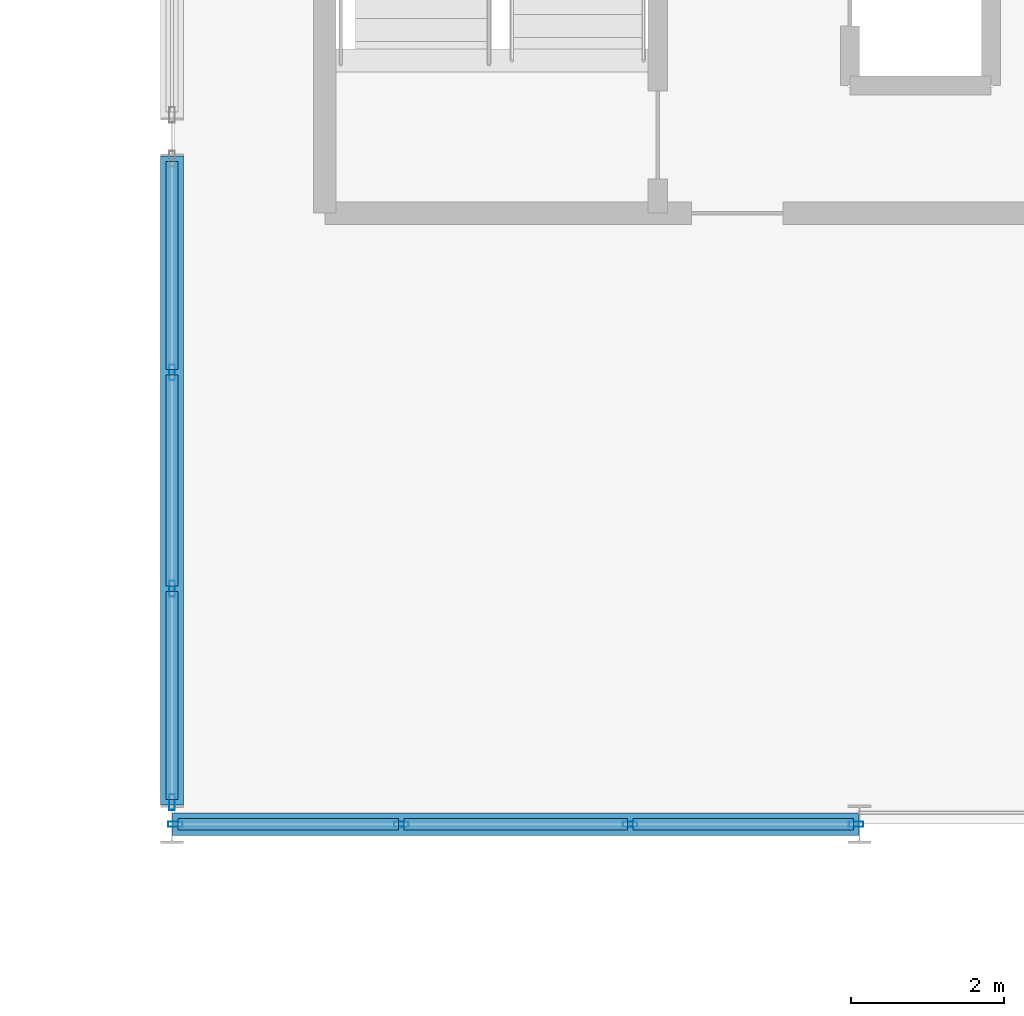
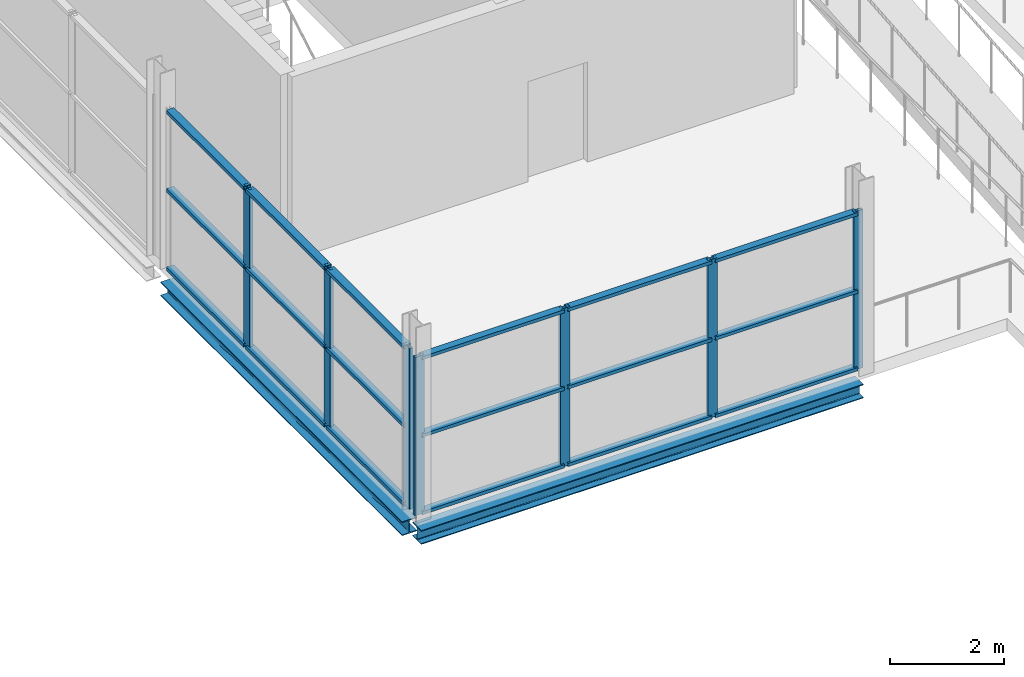
# One storey, part 18 of 103: 25 members, 2 beams, 2 elements without a shape of their own.
"""IFC4 building model written with IfcOpenShell, lengths in metres."""

from ifc_helpers import new_model, si_unit, direction, frame, origin, origin_2d, place, context, subcontext, project, spatial, hollow_rectangle, i_section, extrude, material, layer, layer_set, material_profile, profile_set, type_object, element, aggregate, save


model = new_model("IFC4")

# Units and contexts
model_context = context("Model", 3, precision=1e-05, world=origin(), true_north=direction((0.0, 1.0)))
body_context = subcontext(model_context, "Body", "Model", "MODEL_VIEW")
ifc_project = project(units=[si_unit("LENGTHUNIT", "METRE"), si_unit("AREAUNIT", "SQUARE_METRE"), si_unit("VOLUMEUNIT", "CUBIC_METRE"), si_unit("PLANEANGLEUNIT", "RADIAN"), si_unit("MASSUNIT", "GRAM", prefix="KILO")], contexts=[model_context])

# Site, building, storey
site_placement = place(None, origin())
site = spatial("IfcSite", under=ifc_project, at=site_placement, CompositionType="ELEMENT")
building_placement = place(site_placement, origin())
building = spatial("IfcBuilding", under=site, at=building_placement, Name="Deido Ridge Mobility Hub", CompositionType="ELEMENT")
storey_placement = place(building_placement, frame((0.0, 0.0, 12.60009765625)))
storey = spatial("IfcBuildingStorey", under=building, at=storey_placement, Name="L03", CompositionType="ELEMENT", Elevation=12.60009765625)

# Curtain wall, members
ifc_material_1 = material(Name="Anodised aluminium EN AW-6063 T6", Category="aluminium")
ifc_layer_1 = layer(ifc_material_1, 0.156005859375, Name="Anodised aluminium EN AW-6063 T6")
ifc_layer_set_1 = layer_set([ifc_layer_1], Name="Anodised aluminium EN AW-6063 T6")
curtain_wall_type_1 = type_object("IfcCurtainWallType", Name="CW-GS-3", PredefinedType="USERDEFINED", material=ifc_layer_set_1)
curtain_wall_1_placement = place(storey_placement, origin())
curtain_wall_1 = element("IfcCurtainWall", 1, at=curtain_wall_1_placement, inside=storey, type_object=curtain_wall_type_1, Name="Unitised curtain wall GS3", ObjectType="GLAZED SCREEN", PredefinedType="USERDEFINED")
ifc_material_profile_1 = material_profile(ifc_material_1, hollow_rectangle(XDim=0.070068359375, YDim=0.18994140625, WallThickness=0.00390625, at=origin_2d()), Name="RHS 70x190x4")
ifc_profile_set_1 = profile_set([ifc_material_profile_1], Name="Anodised aluminium EN AW-6063 T6")
member_type_1 = type_object("IfcMemberType", Name="MEM-MUL-70X190", PredefinedType="MULLION", material=ifc_profile_set_1)
member_1_placement = place(storey_placement, frame((72.042236328125, 54.0, 0.0), z_axis=(0.0, 0.0, 1.0), x_axis=(0.0, 1.0, 0.0)))
member_1 = element("IfcMember", 2, at=member_1_placement, type_object=member_type_1, Name="GS3 mullion 1", PredefinedType="MULLION", context=body_context, shape_type="SweptSolid", body=[
    extrude(hollow_rectangle(XDim=0.070068359375, YDim=0.18994140625, WallThickness=0.00390625, at=origin_2d()), origin(), (0.0, 0.0, 1.0), 3.39990234375),
])
member_2_placement = place(storey_placement, frame((75.00244140625, 54.0, 0.0), z_axis=(0.0, 0.0, 1.0), x_axis=(0.0, 1.0, 0.0)))
member_2 = element("IfcMember", 3, at=member_2_placement, type_object=member_type_1, Name="GS3 mullion 2", PredefinedType="MULLION", context=body_context, shape_type="SweptSolid", body=[
    extrude(hollow_rectangle(XDim=0.070068359375, YDim=0.18994140625, WallThickness=0.00390625, at=origin_2d()), origin(), (0.0, 0.0, 1.0), 3.39990234375),
])
member_3_placement = place(storey_placement, frame((77.99755859375, 54.0, 0.0), z_axis=(0.0, 0.0, 1.0), x_axis=(0.0, 1.0, 0.0)))
member_3 = element("IfcMember", 4, at=member_3_placement, type_object=member_type_1, Name="GS3 mullion 3", PredefinedType="MULLION", context=body_context, shape_type="SweptSolid", body=[
    extrude(hollow_rectangle(XDim=0.070068359375, YDim=0.18994140625, WallThickness=0.00390625, at=origin_2d()), origin(), (0.0, 0.0, 1.0), 3.39990234375),
])
member_4_placement = place(storey_placement, frame((80.957763671875, 54.0, 0.0), z_axis=(0.0, 0.0, 1.0), x_axis=(0.0, 1.0, 0.0)))
member_4 = element("IfcMember", 5, at=member_4_placement, type_object=member_type_1, Name="GS3 mullion 4", PredefinedType="MULLION", context=body_context, shape_type="SweptSolid", body=[
    extrude(hollow_rectangle(XDim=0.070068359375, YDim=0.18994140625, WallThickness=0.00390625, at=origin_2d()), origin(), (0.0, 0.0, 1.0), 3.39990234375),
])

ifc_layer_2 = layer(ifc_material_1, 0.2099609375, Name="Anodised aluminium EN AW-6063 T6")
ifc_layer_set_2 = layer_set([ifc_layer_2], Name="Anodised aluminium EN AW-6063 T6")
curtain_wall_type_2 = type_object("IfcCurtainWallType", Name="CW-UF-4", PredefinedType="USERDEFINED", material=ifc_layer_set_2)
curtain_wall_2_placement = place(storey_placement, origin())
curtain_wall_2 = element("IfcCurtainWall", 6, at=curtain_wall_2_placement, inside=storey, type_object=curtain_wall_type_2, Name="Unitised curtain wall CW4", ObjectType="UNITISED FACADE", PredefinedType="USERDEFINED")
ifc_material_profile_2 = material_profile(ifc_material_1, hollow_rectangle(XDim=0.074951171875, YDim=0.205078125, WallThickness=0.00390625, at=origin_2d()), Name="RHS 75x205x4")
ifc_profile_set_2 = profile_set([ifc_material_profile_2], Name="Anodised aluminium EN AW-6063 T6")
member_type_2 = type_object("IfcMemberType", Name="MEM-MUL-75X205", PredefinedType="MULLION", material=ifc_profile_set_2)
member_5_placement = place(storey_placement, frame((72.0, 54.28759765625, 0.0), z_axis=(0.0, 0.0, 1.0), x_axis=(-1.0, 0.0, 0.0)))
member_5 = element("IfcMember", 7, at=member_5_placement, type_object=member_type_2, Name="CW4 mullion 1", PredefinedType="MULLION", context=body_context, shape_type="SweptSolid", body=[
    extrude(hollow_rectangle(XDim=0.074951171875, YDim=0.205078125, WallThickness=0.00390625, at=origin_2d()), origin(), (0.0, 0.0, 1.0), 3.449951171875),
])
member_6_placement = place(storey_placement, frame((72.0, 57.083251953125, 0.0), z_axis=(0.0, 0.0, 1.0), x_axis=(-1.0, 0.0, 0.0)))
member_6 = element("IfcMember", 8, at=member_6_placement, type_object=member_type_2, Name="CW4 mullion 2", PredefinedType="MULLION", context=body_context, shape_type="SweptSolid", body=[
    extrude(hollow_rectangle(XDim=0.074951171875, YDim=0.205078125, WallThickness=0.00390625, at=origin_2d()), origin(), (0.0, 0.0, 1.0), 3.449951171875),
])
member_7_placement = place(storey_placement, frame((72.0, 59.916748046875, 0.0), z_axis=(0.0, 0.0, 1.0), x_axis=(-1.0, 0.0, 0.0)))
member_7 = element("IfcMember", 9, at=member_7_placement, type_object=member_type_2, Name="CW4 mullion 3", PredefinedType="MULLION", context=body_context, shape_type="SweptSolid", body=[
    extrude(hollow_rectangle(XDim=0.074951171875, YDim=0.205078125, WallThickness=0.00390625, at=origin_2d()), origin(), (0.0, 0.0, 1.0), 3.449951171875),
])

# Member
ifc_material_profile_3 = material_profile(ifc_material_1, hollow_rectangle(XDim=0.14501953125, YDim=0.070068359375, WallThickness=0.00390625, at=origin_2d()), Name="RHS 145x70x4")
ifc_profile_set_3 = profile_set([ifc_material_profile_3], Name="Anodised aluminium EN AW-6063 T6")
member_type_3 = type_object("IfcMemberType", Name="MEM-TRN-145X70", PredefinedType="USERDEFINED", material=ifc_profile_set_3)
member_8_placement = place(storey_placement, frame((72.0771484375, 54.0, 0.034912109375), z_axis=(1.0, 0.0, 0.0), x_axis=(0.0, 1.0, 0.0)))
member_8 = element("IfcMember", 10, at=member_8_placement, type_object=member_type_3, Name="GS3 transom 1.1", ObjectType="TRANSOM", PredefinedType="USERDEFINED", context=body_context, shape_type="SweptSolid", body=[
    extrude(hollow_rectangle(XDim=0.14501953125, YDim=0.070068359375, WallThickness=0.00390625, at=origin_2d()), origin(), (0.0, 0.0, 1.0), 2.89013671875),
])

member_9_placement = place(storey_placement, frame((72.0771484375, 54.0, 1.699951171875), z_axis=(1.0, 0.0, 0.0), x_axis=(0.0, 1.0, 0.0)))
member_9 = element("IfcMember", 11, at=member_9_placement, type_object=member_type_3, Name="GS3 transom 1.2", ObjectType="TRANSOM", PredefinedType="USERDEFINED", context=body_context, shape_type="SweptSolid", body=[
    extrude(hollow_rectangle(XDim=0.14501953125, YDim=0.070068359375, WallThickness=0.00390625, at=origin_2d()), origin(), (0.0, 0.0, 1.0), 2.89013671875),
])

member_10_placement = place(storey_placement, frame((72.0771484375, 54.0, 3.364990234375), z_axis=(1.0, 0.0, 0.0), x_axis=(0.0, 1.0, 0.0)))
member_10 = element("IfcMember", 12, at=member_10_placement, type_object=member_type_3, Name="GS3 transom 1.3", ObjectType="TRANSOM", PredefinedType="USERDEFINED", context=body_context, shape_type="SweptSolid", body=[
    extrude(hollow_rectangle(XDim=0.14501953125, YDim=0.070068359375, WallThickness=0.00390625, at=origin_2d()), origin(), (0.0, 0.0, 1.0), 2.89013671875),
])

member_11_placement = place(storey_placement, frame((75.037353515625, 54.0, 0.034912109375), z_axis=(1.0, 0.0, 0.0), x_axis=(0.0, 1.0, 0.0)))
member_11 = element("IfcMember", 13, at=member_11_placement, type_object=member_type_3, Name="GS3 transom 2.1", ObjectType="TRANSOM", PredefinedType="USERDEFINED", context=body_context, shape_type="SweptSolid", body=[
    extrude(hollow_rectangle(XDim=0.14501953125, YDim=0.070068359375, WallThickness=0.00390625, at=origin_2d()), origin(), (0.0, 0.0, 1.0), 2.92529296875),
])

member_12_placement = place(storey_placement, frame((75.037353515625, 54.0, 1.699951171875), z_axis=(1.0, 0.0, 0.0), x_axis=(0.0, 1.0, 0.0)))
member_12 = element("IfcMember", 14, at=member_12_placement, type_object=member_type_3, Name="GS3 transom 2.2", ObjectType="TRANSOM", PredefinedType="USERDEFINED", context=body_context, shape_type="SweptSolid", body=[
    extrude(hollow_rectangle(XDim=0.14501953125, YDim=0.070068359375, WallThickness=0.00390625, at=origin_2d()), origin(), (0.0, 0.0, 1.0), 2.92529296875),
])

member_13_placement = place(storey_placement, frame((75.037353515625, 54.0, 3.364990234375), z_axis=(1.0, 0.0, 0.0), x_axis=(0.0, 1.0, 0.0)))
member_13 = element("IfcMember", 15, at=member_13_placement, type_object=member_type_3, Name="GS3 transom 2.3", ObjectType="TRANSOM", PredefinedType="USERDEFINED", context=body_context, shape_type="SweptSolid", body=[
    extrude(hollow_rectangle(XDim=0.14501953125, YDim=0.070068359375, WallThickness=0.00390625, at=origin_2d()), origin(), (0.0, 0.0, 1.0), 2.92529296875),
])

member_14_placement = place(storey_placement, frame((78.03271484375, 54.0, 0.034912109375), z_axis=(1.0, 0.0, 0.0), x_axis=(0.0, 1.0, 0.0)))
member_14 = element("IfcMember", 16, at=member_14_placement, type_object=member_type_3, Name="GS3 transom 3.1", ObjectType="TRANSOM", PredefinedType="USERDEFINED", context=body_context, shape_type="SweptSolid", body=[
    extrude(hollow_rectangle(XDim=0.14501953125, YDim=0.070068359375, WallThickness=0.00390625, at=origin_2d()), origin(), (0.0, 0.0, 1.0), 2.89013671875),
])

member_15_placement = place(storey_placement, frame((78.03271484375, 54.0, 1.699951171875), z_axis=(1.0, 0.0, 0.0), x_axis=(0.0, 1.0, 0.0)))
member_15 = element("IfcMember", 17, at=member_15_placement, type_object=member_type_3, Name="GS3 transom 3.2", ObjectType="TRANSOM", PredefinedType="USERDEFINED", context=body_context, shape_type="SweptSolid", body=[
    extrude(hollow_rectangle(XDim=0.14501953125, YDim=0.070068359375, WallThickness=0.00390625, at=origin_2d()), origin(), (0.0, 0.0, 1.0), 2.89013671875),
])

member_16_placement = place(storey_placement, frame((78.03271484375, 54.0, 3.364990234375), z_axis=(1.0, 0.0, 0.0), x_axis=(0.0, 1.0, 0.0)))
member_16 = element("IfcMember", 18, at=member_16_placement, type_object=member_type_3, Name="GS3 transom 3.3", ObjectType="TRANSOM", PredefinedType="USERDEFINED", context=body_context, shape_type="SweptSolid", body=[
    extrude(hollow_rectangle(XDim=0.14501953125, YDim=0.070068359375, WallThickness=0.00390625, at=origin_2d()), origin(), (0.0, 0.0, 1.0), 2.89013671875),
])

aggregate(curtain_wall_1, [member_1, member_2, member_3, member_4, member_8, member_9, member_10, member_11, member_12, member_13, member_14, member_15, member_16])

ifc_material_profile_4 = material_profile(ifc_material_1, hollow_rectangle(XDim=0.155029296875, YDim=0.074951171875, WallThickness=0.00390625, at=origin_2d()), Name="RHS 155x75x4")
ifc_profile_set_4 = profile_set([ifc_material_profile_4], Name="Anodised aluminium EN AW-6063 T6")
member_type_4 = type_object("IfcMemberType", Name="MEM-TRN-155X75", PredefinedType="USERDEFINED", material=ifc_profile_set_4)
member_17_placement = place(storey_placement, frame((72.0, 54.324951171875, 0.037353515625), z_axis=(0.0, 1.0, 0.0), x_axis=(-1.0, 0.0, 0.0)))
member_17 = element("IfcMember", 19, at=member_17_placement, type_object=member_type_4, Name="CW4 transom 1.1", ObjectType="TRANSOM", PredefinedType="USERDEFINED", context=body_context, shape_type="SweptSolid", body=[
    extrude(hollow_rectangle(XDim=0.155029296875, YDim=0.074951171875, WallThickness=0.00390625, at=origin_2d()), origin(), (0.0, 0.0, 1.0), 2.720947265625),
])

member_18_placement = place(storey_placement, frame((72.0, 54.324951171875, 1.724853515625), z_axis=(0.0, 1.0, 0.0), x_axis=(-1.0, 0.0, 0.0)))
member_18 = element("IfcMember", 20, at=member_18_placement, type_object=member_type_4, Name="CW4 transom 1.2", ObjectType="TRANSOM", PredefinedType="USERDEFINED", context=body_context, shape_type="SweptSolid", body=[
    extrude(hollow_rectangle(XDim=0.155029296875, YDim=0.074951171875, WallThickness=0.00390625, at=origin_2d()), origin(), (0.0, 0.0, 1.0), 2.720947265625),
])

member_19_placement = place(storey_placement, frame((72.0, 54.324951171875, 3.412353515625), z_axis=(0.0, 1.0, 0.0), x_axis=(-1.0, 0.0, 0.0)))
member_19 = element("IfcMember", 21, at=member_19_placement, type_object=member_type_4, Name="CW4 transom 1.3", ObjectType="TRANSOM", PredefinedType="USERDEFINED", context=body_context, shape_type="SweptSolid", body=[
    extrude(hollow_rectangle(XDim=0.155029296875, YDim=0.074951171875, WallThickness=0.00390625, at=origin_2d()), origin(), (0.0, 0.0, 1.0), 2.720947265625),
])

member_20_placement = place(storey_placement, frame((72.0, 57.120849609375, 0.037353515625), z_axis=(0.0, 1.0, 0.0), x_axis=(-1.0, 0.0, 0.0)))
member_20 = element("IfcMember", 22, at=member_20_placement, type_object=member_type_4, Name="CW4 transom 2.1", ObjectType="TRANSOM", PredefinedType="USERDEFINED", context=body_context, shape_type="SweptSolid", body=[
    extrude(hollow_rectangle(XDim=0.155029296875, YDim=0.074951171875, WallThickness=0.00390625, at=origin_2d()), origin(), (0.0, 0.0, 1.0), 2.75830078125),
])

member_21_placement = place(storey_placement, frame((72.0, 57.120849609375, 1.724853515625), z_axis=(0.0, 1.0, 0.0), x_axis=(-1.0, 0.0, 0.0)))
member_21 = element("IfcMember", 23, at=member_21_placement, type_object=member_type_4, Name="CW4 transom 2.2", ObjectType="TRANSOM", PredefinedType="USERDEFINED", context=body_context, shape_type="SweptSolid", body=[
    extrude(hollow_rectangle(XDim=0.155029296875, YDim=0.074951171875, WallThickness=0.00390625, at=origin_2d()), origin(), (0.0, 0.0, 1.0), 2.75830078125),
])

member_22_placement = place(storey_placement, frame((72.0, 57.120849609375, 3.412353515625), z_axis=(0.0, 1.0, 0.0), x_axis=(-1.0, 0.0, 0.0)))
member_22 = element("IfcMember", 24, at=member_22_placement, type_object=member_type_4, Name="CW4 transom 2.3", ObjectType="TRANSOM", PredefinedType="USERDEFINED", context=body_context, shape_type="SweptSolid", body=[
    extrude(hollow_rectangle(XDim=0.155029296875, YDim=0.074951171875, WallThickness=0.00390625, at=origin_2d()), origin(), (0.0, 0.0, 1.0), 2.75830078125),
])

member_23_placement = place(storey_placement, frame((72.0, 59.9541015625, 0.037353515625), z_axis=(0.0, 1.0, 0.0), x_axis=(-1.0, 0.0, 0.0)))
member_23 = element("IfcMember", 25, at=member_23_placement, type_object=member_type_4, Name="CW4 transom 3.1", ObjectType="TRANSOM", PredefinedType="USERDEFINED", context=body_context, shape_type="SweptSolid", body=[
    extrude(hollow_rectangle(XDim=0.155029296875, YDim=0.074951171875, WallThickness=0.00390625, at=origin_2d()), origin(), (0.0, 0.0, 1.0), 2.720947265625),
])

member_24_placement = place(storey_placement, frame((72.0, 59.9541015625, 1.724853515625), z_axis=(0.0, 1.0, 0.0), x_axis=(-1.0, 0.0, 0.0)))
member_24 = element("IfcMember", 26, at=member_24_placement, type_object=member_type_4, Name="CW4 transom 3.2", ObjectType="TRANSOM", PredefinedType="USERDEFINED", context=body_context, shape_type="SweptSolid", body=[
    extrude(hollow_rectangle(XDim=0.155029296875, YDim=0.074951171875, WallThickness=0.00390625, at=origin_2d()), origin(), (0.0, 0.0, 1.0), 2.720947265625),
])

member_25_placement = place(storey_placement, frame((72.0, 59.9541015625, 3.412353515625), z_axis=(0.0, 1.0, 0.0), x_axis=(-1.0, 0.0, 0.0)))
member_25 = element("IfcMember", 27, at=member_25_placement, type_object=member_type_4, Name="CW4 transom 3.3", ObjectType="TRANSOM", PredefinedType="USERDEFINED", context=body_context, shape_type="SweptSolid", body=[
    extrude(hollow_rectangle(XDim=0.155029296875, YDim=0.074951171875, WallThickness=0.00390625, at=origin_2d()), origin(), (0.0, 0.0, 1.0), 2.720947265625),
])

aggregate(curtain_wall_2, [member_5, member_6, member_7, member_17, member_18, member_19, member_20, member_21, member_22, member_23, member_24, member_25])

# Beams
ifc_material_2 = material(Name="Steel S355J2 EN 10025-2", Category="steel")
ifc_material_profile_5 = material_profile(ifc_material_2, i_section(OverallWidth=0.300048828125, OverallDepth=0.300048828125, WebThickness=0.010986328125, FlangeThickness=0.01904296875, FilletRadius=0.027099609375, at=origin_2d()), Name="HEB 300")
ifc_profile_set_5 = profile_set([ifc_material_profile_5], Name="Steel S355J2 EN 10025-2")
beam_type = type_object("IfcBeamType", Name="SPD-HEB300", PredefinedType="SPANDREL", material=ifc_profile_set_5)
beam_1_placement = place(storey_placement, frame((72.007080078125, 54.0, -0.4150390625), z_axis=(1.0, 0.0, 0.0), x_axis=(0.0, 1.0, 0.0)))
element("IfcBeam", 28, at=beam_1_placement, inside=storey, type_object=beam_type, Name="Floor beam SP1", PredefinedType="SPANDREL", context=body_context, shape_type="SweptSolid", body=[
    extrude(i_section(OverallWidth=0.300048828125, OverallDepth=0.300048828125, WebThickness=0.010986328125, FlangeThickness=0.01904296875, FilletRadius=0.027099609375, at=origin_2d()), origin(), (0.0, 0.0, 1.0), 8.98583984375),
])
beam_2_placement = place(storey_placement, frame((72.0, 54.25, -0.4150390625), z_axis=(0.0, 1.0, 0.0), x_axis=(-1.0, 0.0, 0.0)))
element("IfcBeam", 29, at=beam_2_placement, inside=storey, type_object=beam_type, Name="Floor beam SP1", PredefinedType="SPANDREL", context=body_context, shape_type="SweptSolid", body=[
    extrude(i_section(OverallWidth=0.300048828125, OverallDepth=0.300048828125, WebThickness=0.010986328125, FlangeThickness=0.01904296875, FilletRadius=0.027099609375, at=origin_2d()), origin(), (0.0, 0.0, 1.0), 8.5),
])

save(model, "model.ifc")
